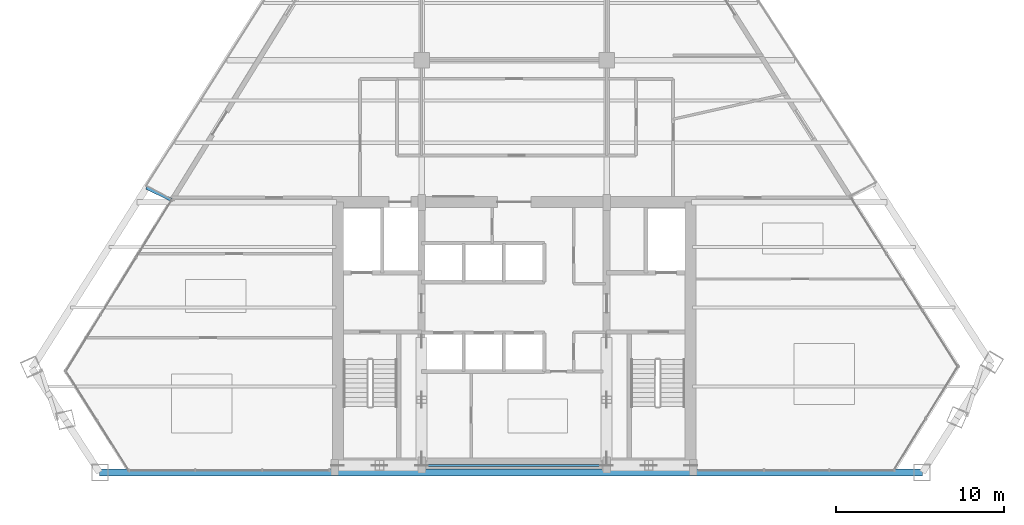
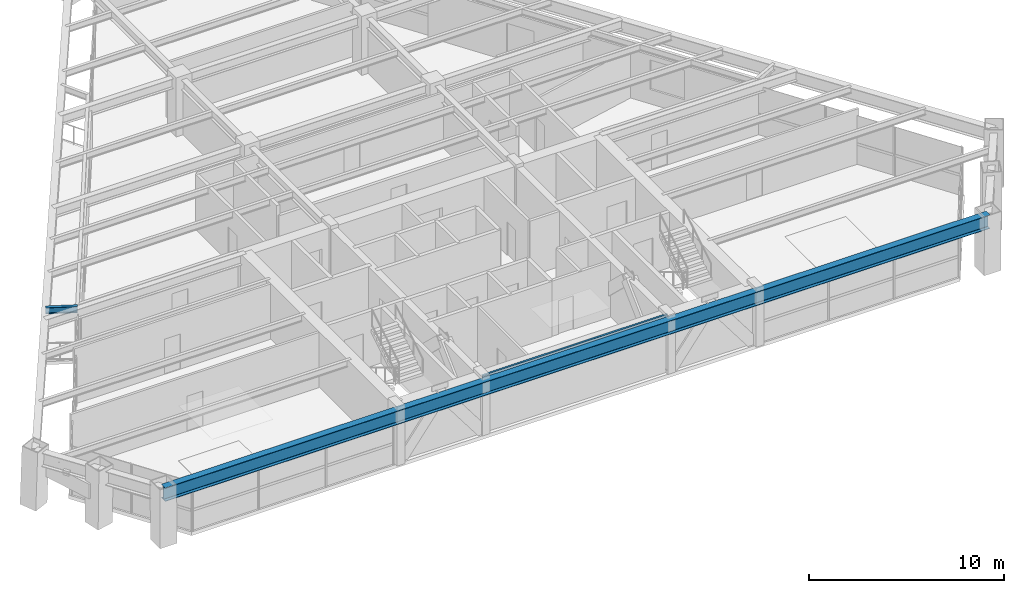
# One storey, part 3 of 15: 3 beams.
"""IFC4 building model written with IfcOpenShell, lengths in metres."""

from ifc_helpers import new_model, si_unit, direction, frame, origin, origin_2d, place, context, subcontext, project, spatial, i_section, extrude, source, transform, mapped, material, material_profile, profile_set, type_object, type_shapes, element, save


model = new_model("IFC4")

# Units and contexts
model_context = context("Model", 3, precision=1e-05, world=origin(), true_north=direction((0.0, 1.0)))
body_context = subcontext(model_context, "Body", "Model", "MODEL_VIEW")
ifc_project = project(units=[si_unit("LENGTHUNIT", "METRE"), si_unit("AREAUNIT", "SQUARE_METRE"), si_unit("VOLUMEUNIT", "CUBIC_METRE"), si_unit("PLANEANGLEUNIT", "RADIAN"), si_unit("MASSUNIT", "GRAM", prefix="KILO")], contexts=[model_context])

# Site, building, storey
site_placement = place(None, origin())
site = spatial("IfcSite", under=ifc_project, at=site_placement, CompositionType="ELEMENT")
building_placement = place(site_placement, origin())
building = spatial("IfcBuilding", under=site, at=building_placement, Name="Varnakhor Terracotta Tower", CompositionType="ELEMENT")
storey_placement = place(building_placement, frame((0.0, 0.0, 189.5)))
storey = spatial("IfcBuildingStorey", under=building, at=storey_placement, Name="L48", CompositionType="ELEMENT", Elevation=189.5)

# Beams
ifc_material = material(Name="Steel S355", Category="steel")
ifc_material_profile_1 = material_profile(ifc_material, i_section(OverallWidth=0.1201171875, OverallDepth=0.239990234375, WebThickness=0.006103515625, FlangeThickness=0.009765625, FilletRadius=0.01806640625, at=origin_2d()), Name="IPE240")
ifc_profile_set_1 = profile_set([ifc_material_profile_1], Name="Steel S355")
beam_type_1 = type_object("IfcBeamType", Name="LNT-IPE240", PredefinedType="LINTEL", material=ifc_profile_set_1)
shared_shape_1 = source(origin(), body_context, "Body", "SweptSolid", [
    extrude(i_section(OverallWidth=0.1201171875, OverallDepth=0.239990234375, WebThickness=0.006103515625, FlangeThickness=0.009765625, FilletRadius=0.01806640625, at=origin_2d()), origin(), (0.0, 0.0, 1.0), 11.0),
])
type_shapes(beam_type_1, [shared_shape_1])
beam_1_placement = place(storey_placement, frame((-5.5, 0.419921875, 3.35009765625), z_axis=(1.0, 0.0, 0.0), x_axis=(0.0, 1.0, 0.0)))
element("IfcBeam", 1, at=beam_1_placement, inside=storey, type_object=beam_type_1, Name="L48 Core South Coupling Lintel", PredefinedType="LINTEL", context=body_context, shape_type="MappedRepresentation", body=[
    mapped(shared_shape_1, transform((0.0, 0.0, 0.0), scale=1.0)),
])
ifc_material_profile_2 = material_profile(ifc_material, i_section(OverallWidth=0.39990234375, OverallDepth=0.85498046875, WebThickness=0.01806640625, FlangeThickness=0.029052734375, FilletRadius=0.01806640625, at=origin_2d()), Name="W33X201")
ifc_profile_set_2 = profile_set([ifc_material_profile_2], Name="Steel S355")
beam_type_2 = type_object("IfcBeamType", Name="BM-W33X201", PredefinedType="BEAM", material=ifc_profile_set_2)
shared_shape_2 = source(origin(), body_context, "Body", "SweptSolid", [
    extrude(i_section(OverallWidth=0.39990234375, OverallDepth=0.85498046875, WebThickness=0.01806640625, FlangeThickness=0.029052734375, FilletRadius=0.01806640625, at=origin_2d()), origin(), (0.0, 0.0, 1.0), 48.923583984375),
])
beam_2_placement = place(storey_placement, frame((-24.6474609375, 0.0, 3.04248046875), z_axis=(1.0, 0.0, 0.0), x_axis=(0.0, 1.0, 0.0)))
element("IfcBeam", 2, at=beam_2_placement, inside=storey, type_object=beam_type_2, Name="L48 Perimeter Spandrel 1", PredefinedType="BEAM", context=body_context, shape_type="MappedRepresentation", body=[
    mapped(shared_shape_2, transform((0.0, 0.0, 0.0), scale=1.0)),
])
ifc_material_profile_3 = material_profile(ifc_material, i_section(OverallWidth=0.179931640625, OverallDepth=0.39990234375, WebThickness=0.008544921875, FlangeThickness=0.013427734375, FilletRadius=0.01806640625, at=origin_2d()), Name="IPE400")
ifc_profile_set_3 = profile_set([ifc_material_profile_3], Name="Steel S355")
beam_type_3 = type_object("IfcBeamType", Name="JST-IPE400", PredefinedType="JOIST", material=ifc_profile_set_3)
shared_shape_3 = source(origin(), body_context, "Body", "SweptSolid", [
    extrude(i_section(OverallWidth=0.179931640625, OverallDepth=0.39990234375, WebThickness=0.008544921875, FlangeThickness=0.013427734375, FilletRadius=0.01806640625, at=origin_2d()), origin(), (0.0, 0.0, 1.0), 1.632568359375),
])
beam_3_placement = place(storey_placement, frame((-20.3896484375, 16.208251953125, 3.27001953125), z_axis=(-0.898663495704, 0.438638714079, 0.0), x_axis=(-0.438638714079, -0.898663495704, 0.0)))
element("IfcBeam", 3, at=beam_3_placement, inside=storey, type_object=beam_type_3, Name="L49 W Loggia Tie Beam 1", PredefinedType="JOIST", context=body_context, shape_type="MappedRepresentation", body=[
    mapped(shared_shape_3, transform((0.0, 0.0, 0.0), scale=1.0)),
])

save(model, "model.ifc")
